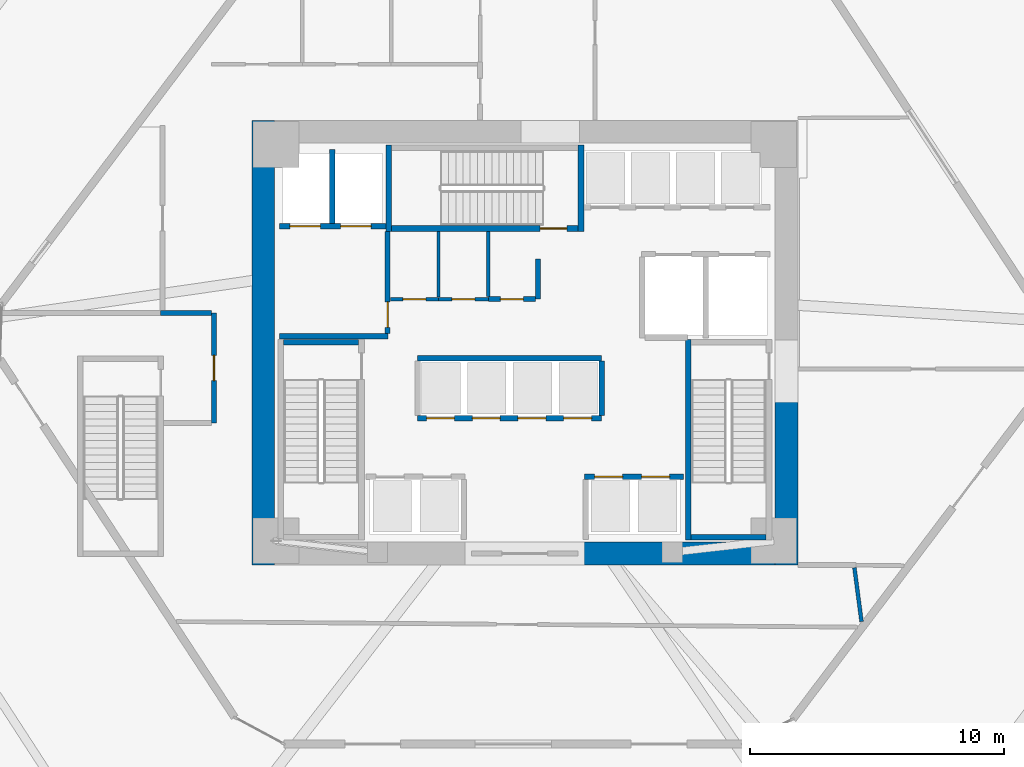
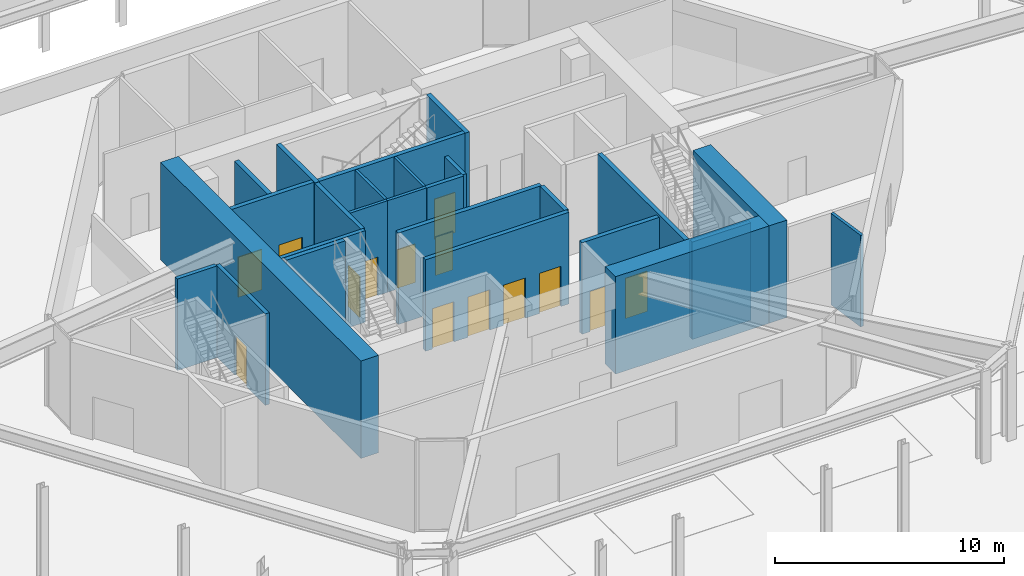
# One storey, part 13 of 18: 26 walls, 14 doors, 14 openings.
"""IFC4 building model written with IfcOpenShell, lengths in metres."""

from ifc_helpers import new_model, si_unit, direction, frame, frame_2d, origin, place, context, subcontext, project, spatial, rectangle, extrude, source, transform, mapped, material, layer, layer_set, type_object, type_shapes, element, fill, save


model = new_model("IFC4")

# Units and contexts
model_context = context("Model", 3, precision=1e-05, world=origin(), true_north=direction((0.0, 1.0)))
body_context = subcontext(model_context, "Body", "Model", "MODEL_VIEW")
ifc_project = project(units=[si_unit("LENGTHUNIT", "METRE"), si_unit("AREAUNIT", "SQUARE_METRE"), si_unit("VOLUMEUNIT", "CUBIC_METRE"), si_unit("PLANEANGLEUNIT", "RADIAN"), si_unit("MASSUNIT", "GRAM", prefix="KILO")], contexts=[model_context])

# Site, building, storey
site_placement = place(None, origin())
site = spatial("IfcSite", under=ifc_project, at=site_placement, CompositionType="ELEMENT")
building_placement = place(site_placement, origin())
building = spatial("IfcBuilding", under=site, at=building_placement, Name="Durnholm Broadcast Tower", CompositionType="ELEMENT")
storey_placement = place(building_placement, origin())
storey = spatial("IfcBuildingStorey", under=building, at=storey_placement, Name="L00", CompositionType="ELEMENT", Elevation=0.0)

# Walls
ifc_material_1 = material(Name="Concrete C70/85", Category="concrete")
ifc_layer_1 = layer(ifc_material_1, 0.89990234375)
ifc_layer_set_1 = layer_set([ifc_layer_1], Name="Concrete C70/85")
wall_type_1 = type_object("IfcWallType", Name="WALL-CW-900", PredefinedType="SHEAR", material=ifc_layer_set_1)
wall_1_placement = place(storey_placement, frame((-10.300048828125, -8.75, 0.0), z_axis=(0.0, 0.0, 1.0), x_axis=(0.0, 1.0, 0.0)))
element("IfcWall", 1, at=wall_1_placement, inside=storey, type_object=wall_type_1, Name="L00 central core shear wall CW-WEST", PredefinedType="SHEAR", context=body_context, shape_type="SweptSolid", body=[
    extrude(rectangle(XDim=17.5, YDim=0.89990234375, at=frame_2d((8.75, 0.0))), origin(), (0.0, 0.0, 1.0), 5.199951171875),
])
wall_2_placement = place(storey_placement, frame((10.300048828125, -8.75, 0.0), z_axis=(0.0, 0.0, 1.0), x_axis=(0.0, 1.0, 0.0)))
element("IfcWall", 2, at=wall_2_placement, inside=storey, type_object=wall_type_1, Name="L00 central core shear wall CW-E1", PredefinedType="SHEAR", context=body_context, shape_type="SweptSolid", body=[
    extrude(rectangle(XDim=6.64990234375, YDim=0.89990234375, at=frame_2d((3.324951171875, 0.0))), origin(), (0.0, 0.0, 1.0), 5.199951171875),
])
wall_3_placement = place(storey_placement, frame((2.10009765625, -8.300048828125, 0.0), z_axis=(0.0, 0.0, 1.0), x_axis=(1.0, 0.0, 0.0)))
element("IfcWall", 3, at=wall_3_placement, inside=storey, type_object=wall_type_1, Name="L00 central core shear wall CW-S2", PredefinedType="SHEAR", context=body_context, shape_type="SweptSolid", body=[
    extrude(rectangle(XDim=7.75, YDim=0.89990234375, at=frame_2d((3.875, 0.0))), origin(), (0.0, 0.0, 1.0), 5.199951171875),
])
ifc_material_2 = material(Name="Fire-Rated Gypsum Shaftwall", Category="concrete")
ifc_layer_2 = layer(ifc_material_2, 0.199951171875)
ifc_layer_set_2 = layer_set([ifc_layer_2], Name="Fire-Rated Gypsum Shaftwall")
wall_type_2 = type_object("IfcWallType", Name="WALL-LOB-200", PredefinedType="SOLIDWALL", material=ifc_layer_set_2)
wall_4_placement = place(storey_placement, frame((-9.64990234375, 0.25, 0.0), z_axis=(0.0, 0.0, 1.0), x_axis=(1.0, 0.0, 0.0)))
element("IfcWall", 4, at=wall_4_placement, inside=storey, type_object=wall_type_2, Name="L00 Fire Service Access Elevator lobby south wall", PredefinedType="SOLIDWALL", context=body_context, shape_type="SweptSolid", body=[
    extrude(rectangle(XDim=4.27001953125, YDim=0.199951171875, at=frame_2d((2.135009765625, 0.0))), origin(), (0.0, 0.0, 1.0), 4.885009765625),
])

# Wall, opening, door
wall_5_placement = place(storey_placement, frame((-5.39990234375, 0.35400390625, 0.0), z_axis=(0.0, 0.0, 1.0), x_axis=(0.0, 1.0, 0.0)))
wall_5 = element("IfcWall", 5, at=wall_5_placement, inside=storey, type_object=wall_type_2, Name="L00 Fire Service Access Elevator lobby east fire wall", PredefinedType="SOLIDWALL", context=body_context, shape_type="SweptSolid", body=[
    extrude(rectangle(XDim=4.02587890625, YDim=0.199951171875, at=frame_2d((2.012939453125, 0.0))), origin(), (0.0, 0.0, 1.0), 4.885009765625),
])
opening_1_placement = place(wall_5_placement, frame((0.24609375, 0.0, 0.0)))
opening_1 = element("IfcOpeningElement", 6, at=opening_1_placement, cuts=wall_5, Name="Opening DL-60L", PredefinedType="OPENING", context=body_context, shape_type="SweptSolid", body=[
    extrude(rectangle(XDim=1.0, YDim=2.14990234375, at=frame_2d((0.5, 1.074951171875))), frame((0.0, 0.10986328125, 0.0), z_axis=(0.0, -1.0, 0.0), x_axis=(1.0, 0.0, 0.0)), (0.0, 0.0, 1.0), 0.219970703125),
])
ifc_material_3 = material(Name="Fire-Rated Timber/Steel Door", Category="steel")
ifc_layer_3 = layer(ifc_material_3, 0.050048828125)
ifc_layer_set_3 = layer_set([ifc_layer_3], Name="Fire-Rated Timber/Steel Door")
door_type_1 = type_object("IfcDoorType", Name="DOOR-LOB-FD60-L", OperationType="NOTDEFINED", PredefinedType="DOOR", material=ifc_layer_set_3)
shared_shape_1 = source(origin(), body_context, "Body", "SweptSolid", [
    extrude(rectangle(XDim=1.0, YDim=2.14990234375, at=frame_2d((0.5, 1.074951171875))), frame((0.0, 0.02490234375, 0.0), z_axis=(0.0, -1.0, 0.0), x_axis=(1.0, 0.0, 0.0)), (0.0, 0.0, 1.0), 0.050048828125),
])
type_shapes(door_type_1, [shared_shape_1])
door_1_placement = place(opening_1_placement, origin())
door_1 = element("IfcDoor", 7, at=door_1_placement, inside=storey, type_object=door_type_1, Name="L00 Fire Service Access Elevator lobby smoke door", OperationType="SINGLE_SWING_LEFT", OverallHeight=2.14990234375, OverallWidth=1.0, PredefinedType="DOOR", context=body_context, shape_type="MappedRepresentation", body=[
    mapped(shared_shape_1, transform((0.0, 0.0, 0.0), x_axis=(1.0, 0.0, 0.0), y_axis=(0.0, 1.0, 0.0), z_axis=(0.0, 0.0, 1.0), scale=1.0)),
])
fill(opening_1, door_1)

wall_6_placement = place(storey_placement, frame((-12.239990234375, -3.159912109375, 0.0), z_axis=(0.0, 0.0, 1.0), x_axis=(0.0, 1.0, 0.0)))
wall_6 = element("IfcWall", 8, at=wall_6_placement, inside=storey, type_object=wall_type_2, Name="L00 West Protected Exit Passageway 2-hour fire barrier", PredefinedType="SOLIDWALL", context=body_context, shape_type="SweptSolid", body=[
    extrude(rectangle(XDim=4.31982421875, YDim=0.199951171875, at=frame_2d((2.159912109375, 0.0))), origin(), (0.0, 0.0, 1.0), 4.885009765625),
])
opening_2_placement = place(wall_6_placement, frame((1.659912109375, 0.0, 0.0)))
opening_2 = element("IfcOpeningElement", 9, at=opening_2_placement, cuts=wall_6, Name="Opening DL-60L", PredefinedType="OPENING", context=body_context, shape_type="SweptSolid", body=[
    extrude(rectangle(XDim=1.0, YDim=2.14990234375, at=frame_2d((0.5, 1.074951171875))), frame((0.0, 0.10986328125, 0.0), z_axis=(0.0, -1.0, 0.0), x_axis=(1.0, 0.0, 0.0)), (0.0, 0.0, 1.0), 0.219970703125),
])
door_2_placement = place(opening_2_placement, origin())
door_2 = element("IfcDoor", 10, at=door_2_placement, inside=storey, type_object=door_type_1, Name="L00 West Protected Exit Passageway smoke barrier door", OperationType="SINGLE_SWING_LEFT", OverallHeight=2.14990234375, OverallWidth=1.0, PredefinedType="DOOR", context=body_context, shape_type="MappedRepresentation", body=[
    mapped(shared_shape_1, transform((0.0, 0.0, 0.0), x_axis=(1.0, 0.0, 0.0), y_axis=(0.0, 1.0, 0.0), z_axis=(0.0, 0.0, 1.0), scale=1.0)),
])
fill(opening_2, door_2)

# Walls
wall_7_placement = place(storey_placement, frame((-12.343994140625, 1.159912109375, 0.0), z_axis=(0.0, 0.0, 1.0), x_axis=(-1.0, 0.0, 0.0)))
element("IfcWall", 11, at=wall_7_placement, inside=storey, type_object=wall_type_2, Name="L00 West Protected Exit Passageway 2-hour fire barrier", PredefinedType="SOLIDWALL", context=body_context, shape_type="SweptSolid", body=[
    extrude(rectangle(XDim=1.99609375, YDim=0.199951171875, at=frame_2d((0.998046875, 0.0))), origin(), (0.0, 0.0, 1.0), 4.885009765625),
])
wall_8_placement = place(storey_placement, frame((0.52001953125, 3.300048828125, 0.0), z_axis=(0.0, 0.0, 1.0), x_axis=(0.0, -1.0, 0.0)))
element("IfcWall", 12, at=wall_8_placement, inside=storey, type_object=wall_type_2, Name="L00 Core Telecom Patch Room corridor partition", PredefinedType="SOLIDWALL", context=body_context, shape_type="SweptSolid", body=[
    extrude(rectangle(XDim=1.590087890625, YDim=0.199951171875, at=frame_2d((0.794921875, 0.0))), origin(), (0.0, 0.0, 1.0), 4.885009765625),
])

# Wall, opening, door
wall_9_placement = place(storey_placement, frame((0.416015625, 1.7099609375, 0.0), z_axis=(0.0, 0.0, 1.0), x_axis=(-1.0, 0.0, 0.0)))
wall_9 = element("IfcWall", 13, at=wall_9_placement, inside=storey, type_object=wall_type_2, Name="L00 Core Telecom Patch Room corridor partition", PredefinedType="SOLIDWALL", context=body_context, shape_type="SweptSolid", body=[
    extrude(rectangle(XDim=1.85595703125, YDim=0.199951171875, at=frame_2d((0.927978515625, 0.0))), origin(), (0.0, 0.0, 1.0), 4.885009765625),
])
opening_3_placement = place(wall_9_placement, frame((0.47802734375, 0.0, 0.0)))
opening_3 = element("IfcOpeningElement", 14, at=opening_3_placement, cuts=wall_9, Name="Opening DC-60R", PredefinedType="OPENING", context=body_context, shape_type="SweptSolid", body=[
    extrude(rectangle(XDim=0.89990234375, YDim=2.050048828125, at=frame_2d((0.449951171875, 1.02490234375))), frame((0.0, 0.10986328125, 0.0), z_axis=(0.0, -1.0, 0.0), x_axis=(1.0, 0.0, 0.0)), (0.0, 0.0, 1.0), 0.219970703125),
])
ifc_material_4 = material(Name="Fire-Rated Core Service Door", Category="steel")
ifc_layer_4 = layer(ifc_material_4, 0.050048828125)
ifc_layer_set_4 = layer_set([ifc_layer_4], Name="Fire-Rated Core Service Door")
door_type_2 = type_object("IfcDoorType", Name="DOOR-CORE-FD60-R", OperationType="NOTDEFINED", PredefinedType="DOOR", material=ifc_layer_set_4)
shared_shape_2 = source(origin(), body_context, "Body", "SweptSolid", [
    extrude(rectangle(XDim=0.89990234375, YDim=2.050048828125, at=frame_2d((0.449951171875, 1.02490234375))), frame((0.0, 0.02490234375, 0.0), z_axis=(0.0, -1.0, 0.0), x_axis=(1.0, 0.0, 0.0)), (0.0, 0.0, 1.0), 0.050048828125),
])
type_shapes(door_type_2, [shared_shape_2])
door_3_placement = place(opening_3_placement, origin())
door_3 = element("IfcDoor", 15, at=door_3_placement, inside=storey, type_object=door_type_2, Name="L00 Core Telecom Patch Room entrance door", OperationType="SINGLE_SWING_RIGHT", OverallHeight=2.050048828125, OverallWidth=0.89990234375, PredefinedType="DOOR", context=body_context, shape_type="MappedRepresentation", body=[
    mapped(shared_shape_2, transform((0.0, 0.0, 0.0), x_axis=(1.0, 0.0, 0.0), y_axis=(0.0, 1.0, 0.0), z_axis=(0.0, 0.0, 1.0), scale=1.0)),
])
fill(opening_3, door_3)

# Walls
ifc_material_5 = material(Name="Gypsum Metal Stud Partition", Category="concrete")
ifc_layer_5 = layer(ifc_material_5, 0.135009765625)
ifc_layer_set_5 = layer_set([ifc_layer_5], Name="Gypsum Metal Stud Partition")
wall_type_3 = type_object("IfcWallType", Name="WALL-PART-135", PredefinedType="PARTITIONING", material=ifc_layer_set_5)
wall_10_placement = place(storey_placement, frame((-3.39990234375, 4.375, 0.0), z_axis=(0.0, 0.0, 1.0), x_axis=(0.0, -1.0, 0.0)))
element("IfcWall", 16, at=wall_10_placement, inside=storey, type_object=wall_type_3, Name="L00 room dividing partition 1.2", PredefinedType="PARTITIONING", context=body_context, shape_type="SweptSolid", body=[
    extrude(rectangle(XDim=2.5859375, YDim=0.135009765625, at=frame_2d((1.29296875, 0.0))), origin(), (0.0, 0.0, 1.0), 4.885009765625),
])
wall_11_placement = place(storey_placement, frame((-1.43994140625, 4.375, 0.0), z_axis=(0.0, 0.0, 1.0), x_axis=(0.0, -1.0, 0.0)))
element("IfcWall", 17, at=wall_11_placement, inside=storey, type_object=wall_type_3, Name="L00 room dividing partition 2.3", PredefinedType="PARTITIONING", context=body_context, shape_type="SweptSolid", body=[
    extrude(rectangle(XDim=2.56103515625, YDim=0.135009765625, at=frame_2d((1.280517578125, 0.0))), origin(), (0.0, 0.0, 1.0), 4.885009765625),
])

# Wall, opening, door
ifc_material_6 = material(Name="Acoustic Gypsum Stud Partition", Category="concrete")
ifc_layer_6 = layer(ifc_material_6, 0.14990234375)
ifc_layer_set_6 = layer_set([ifc_layer_6], Name="Acoustic Gypsum Stud Partition")
wall_type_4 = type_object("IfcWallType", Name="WALL-PART-150", PredefinedType="PARTITIONING", material=ifc_layer_set_6)
wall_12_placement = place(storey_placement, frame((-3.39990234375, 1.7099609375, 0.0), z_axis=(0.0, 0.0, 1.0), x_axis=(-1.0, 0.0, 0.0)))
wall_12 = element("IfcWall", 18, at=wall_12_placement, inside=storey, type_object=wall_type_4, Name="L00 Core Copy and Print Closet corridor partition", PredefinedType="PARTITIONING", context=body_context, shape_type="SweptSolid", body=[
    extrude(rectangle(XDim=1.89599609375, YDim=0.14990234375, at=frame_2d((0.947998046875, 0.0))), origin(), (0.0, 0.0, 1.0), 4.885009765625),
])
opening_4_placement = place(wall_12_placement, frame((0.498046875, 0.0, 0.0)))
opening_4 = element("IfcOpeningElement", 19, at=opening_4_placement, cuts=wall_12, Name="Opening DC-60R", PredefinedType="OPENING", context=body_context, shape_type="SweptSolid", body=[
    extrude(rectangle(XDim=0.89990234375, YDim=2.050048828125, at=frame_2d((0.449951171875, 1.02490234375))), frame((0.0, 0.0849609375, 0.0), z_axis=(0.0, -1.0, 0.0), x_axis=(1.0, 0.0, 0.0)), (0.0, 0.0, 1.0), 0.169921875),
])
door_4_placement = place(opening_4_placement, origin())
door_4 = element("IfcDoor", 20, at=door_4_placement, inside=storey, type_object=door_type_2, Name="L00 Core Copy and Print Closet entrance door", OperationType="SINGLE_SWING_RIGHT", OverallHeight=2.050048828125, OverallWidth=0.89990234375, PredefinedType="DOOR", context=body_context, shape_type="MappedRepresentation", body=[
    mapped(shared_shape_2, transform((0.0, 0.0, 0.0), x_axis=(1.0, 0.0, 0.0), y_axis=(0.0, 1.0, 0.0), z_axis=(0.0, 0.0, 1.0), scale=1.0)),
])
fill(opening_4, door_4)

wall_13_placement = place(storey_placement, frame((-1.43994140625, 1.7099609375, 0.0), z_axis=(0.0, 0.0, 1.0), x_axis=(-1.0, 0.0, 0.0)))
wall_13 = element("IfcWall", 21, at=wall_13_placement, inside=storey, type_object=wall_type_4, Name="L00 Core Janitor Supply Closet corridor partition", PredefinedType="PARTITIONING", context=body_context, shape_type="SweptSolid", body=[
    extrude(rectangle(XDim=1.9599609375, YDim=0.14990234375, at=frame_2d((0.97998046875, 0.0))), origin(), (0.0, 0.0, 1.0), 4.885009765625),
])
opening_5_placement = place(wall_13_placement, frame((0.530029296875, 0.0, 0.0)))
opening_5 = element("IfcOpeningElement", 22, at=opening_5_placement, cuts=wall_13, Name="Opening DC-60L", PredefinedType="OPENING", context=body_context, shape_type="SweptSolid", body=[
    extrude(rectangle(XDim=0.89990234375, YDim=2.050048828125, at=frame_2d((0.449951171875, 1.02490234375))), frame((0.0, 0.0849609375, 0.0), z_axis=(0.0, -1.0, 0.0), x_axis=(1.0, 0.0, 0.0)), (0.0, 0.0, 1.0), 0.169921875),
])
ifc_layer_7 = layer(ifc_material_4, 0.050048828125)
ifc_layer_set_7 = layer_set([ifc_layer_7], Name="Fire-Rated Core Service Door")
door_type_3 = type_object("IfcDoorType", Name="DOOR-CORE-FD60-L", OperationType="NOTDEFINED", PredefinedType="DOOR", material=ifc_layer_set_7)
shared_shape_3 = source(origin(), body_context, "Body", "SweptSolid", [
    extrude(rectangle(XDim=0.89990234375, YDim=2.050048828125, at=frame_2d((0.449951171875, 1.02490234375))), frame((0.0, 0.02490234375, 0.0), z_axis=(0.0, -1.0, 0.0), x_axis=(1.0, 0.0, 0.0)), (0.0, 0.0, 1.0), 0.050048828125),
])
type_shapes(door_type_3, [shared_shape_3])
door_5_placement = place(opening_5_placement, origin())
door_5 = element("IfcDoor", 23, at=door_5_placement, inside=storey, type_object=door_type_3, Name="L00 Core Janitor Supply Closet entrance door", OperationType="SINGLE_SWING_LEFT", OverallHeight=2.050048828125, OverallWidth=0.89990234375, PredefinedType="DOOR", context=body_context, shape_type="MappedRepresentation", body=[
    mapped(shared_shape_3, transform((0.0, 0.0, 0.0), x_axis=(1.0, 0.0, 0.0), y_axis=(0.0, 1.0, 0.0), z_axis=(0.0, 0.0, 1.0), scale=1.0)),
])
fill(opening_5, door_5)

# Wall
wall_14_placement = place(storey_placement, frame((13.25341796875, -10.984619140625, 0.0), z_axis=(0.0, 0.0, 1.0), x_axis=(-0.130802903256, 0.991408392389, 0.0)))
element("IfcWall", 24, at=wall_14_placement, inside=storey, type_object=wall_type_4, Name="L00 Main Broadcast Reception Hall corridor partition", PredefinedType="PARTITIONING", context=body_context, shape_type="SweptSolid", body=[
    extrude(rectangle(XDim=2.138916015625, YDim=0.14990234375, at=frame_2d((1.0693359375, 0.0))), origin(), (0.0, 0.0, 1.0), 4.885009765625),
])

# Wall, openings, doors
ifc_material_7 = material(Name="Concrete Blockwork C30/37", Category="masonry")
ifc_layer_8 = layer(ifc_material_7, 0.219970703125)
ifc_layer_set_8 = layer_set([ifc_layer_8], Name="Concrete Blockwork C30/37")
wall_type_5 = type_object("IfcWallType", Name="WALL-SHAFT-220", PredefinedType="SOLIDWALL", material=ifc_layer_set_8)
wall_15_placement = place(storey_placement, frame((-9.64990234375, 4.580078125, 0.0), z_axis=(0.0, 0.0, 1.0), x_axis=(1.0, 0.0, 0.0)))
wall_15 = element("IfcWall", 25, at=wall_15_placement, inside=storey, type_object=wall_type_5, Name="L00 FSAE hoistway front fire wall", PredefinedType="SOLIDWALL", context=body_context, shape_type="SweptSolid", body=[
    extrude(rectangle(XDim=4.1748046875, YDim=0.219970703125, at=frame_2d((2.08740234375, 0.0))), origin(), (0.0, 0.0, 1.0), 4.885009765625),
])
opening_6_placement = place(wall_15_placement, frame((0.39990234375, 0.0, 0.0)))
opening_6 = element("IfcOpeningElement", 26, at=opening_6_placement, cuts=wall_15, Name="Opening LD-FSAE-2", PredefinedType="OPENING", context=body_context, shape_type="SweptSolid", body=[
    extrude(rectangle(XDim=1.199951171875, YDim=2.14990234375, at=frame_2d((0.60009765625, 1.074951171875))), frame((0.0, 0.1201171875, 0.0), z_axis=(0.0, -1.0, 0.0), x_axis=(1.0, 0.0, 0.0)), (0.0, 0.0, 1.0), 0.239990234375),
])
opening_7_placement = place(wall_15_placement, frame((2.39990234375, 0.0, 0.0)))
opening_7 = element("IfcOpeningElement", 27, at=opening_7_placement, cuts=wall_15, Name="Opening LD-FSAE-1", PredefinedType="OPENING", context=body_context, shape_type="SweptSolid", body=[
    extrude(rectangle(XDim=1.199951171875, YDim=2.14990234375, at=frame_2d((0.60009765625, 1.074951171875))), frame((0.0, 0.1201171875, 0.0), z_axis=(0.0, -1.0, 0.0), x_axis=(1.0, 0.0, 0.0)), (0.0, 0.0, 1.0), 0.239990234375),
])
ifc_material_8 = material(Name="Fire Service Access Sliding Landing Door", Category="steel")
ifc_layer_9 = layer(ifc_material_8, 0.050048828125)
ifc_layer_set_9 = layer_set([ifc_layer_9], Name="Fire Service Access Sliding Landing Door")
door_type_4 = type_object("IfcDoorType", Name="DOOR-LIFT-FSAE", OperationType="DOUBLE_DOOR_SLIDING", PredefinedType="DOOR", material=ifc_layer_set_9)
shared_shape_4 = source(origin(), body_context, "Body", "SweptSolid", [
    extrude(rectangle(XDim=1.199951171875, YDim=2.14990234375, at=frame_2d((0.60009765625, 1.074951171875))), frame((0.0, 0.02490234375, 0.0), z_axis=(0.0, -1.0, 0.0), x_axis=(1.0, 0.0, 0.0)), (0.0, 0.0, 1.0), 0.050048828125),
])
type_shapes(door_type_4, [shared_shape_4])
door_6_placement = place(opening_6_placement, origin())
door_6 = element("IfcDoor", 28, at=door_6_placement, inside=storey, type_object=door_type_4, Name="L00 Fire Service Access Elevator FSAE-2 sliding landing door", OperationType="DOUBLE_DOOR_SLIDING", OverallHeight=2.14990234375, OverallWidth=1.199951171875, PredefinedType="DOOR", context=body_context, shape_type="MappedRepresentation", body=[
    mapped(shared_shape_4, transform((0.0, 0.0, 0.0), x_axis=(1.0, 0.0, 0.0), y_axis=(0.0, 1.0, 0.0), z_axis=(0.0, 0.0, 1.0), scale=1.0)),
])
fill(opening_6, door_6)
door_7_placement = place(opening_7_placement, origin())
door_7 = element("IfcDoor", 29, at=door_7_placement, inside=storey, type_object=door_type_4, Name="L00 Fire Service Access Elevator FSAE-1 sliding landing door", OperationType="DOUBLE_DOOR_SLIDING", OverallHeight=2.14990234375, OverallWidth=1.199951171875, PredefinedType="DOOR", context=body_context, shape_type="MappedRepresentation", body=[
    mapped(shared_shape_4, transform((0.0, 0.0, 0.0), x_axis=(1.0, 0.0, 0.0), y_axis=(0.0, 1.0, 0.0), z_axis=(0.0, 0.0, 1.0), scale=1.0)),
])
fill(opening_7, door_7)

# Wall
wall_16_placement = place(storey_placement, frame((-7.580078125, 4.694091796875, 0.0), z_axis=(0.0, 0.0, 1.0), x_axis=(0.0, 1.0, 0.0)))
element("IfcWall", 30, at=wall_16_placement, inside=storey, type_object=wall_type_5, Name="L00 FSAE shaft divider wall", PredefinedType="SOLIDWALL", context=body_context, shape_type="SweptSolid", body=[
    extrude(rectangle(XDim=2.906005859375, YDim=0.219970703125, at=frame_2d((1.453125, 0.0))), origin(), (0.0, 0.0, 1.0), 4.885009765625),
])

# Wall, openings, doors
wall_17_placement = place(storey_placement, frame((2.35009765625, -5.280029296875, 0.0), z_axis=(0.0, 0.0, 1.0), x_axis=(1.0, 0.0, 0.0)))
wall_17 = element("IfcWall", 31, at=wall_17_placement, inside=storey, type_object=wall_type_5, Name="L00 low-rise bank P1 east front wall", PredefinedType="SOLIDWALL", context=body_context, shape_type="SweptSolid", body=[
    extrude(rectangle(XDim=3.89990234375, YDim=0.219970703125, at=frame_2d((1.949951171875, 0.0))), origin(), (0.0, 0.0, 1.0), 4.885009765625),
])
opening_8_placement = place(wall_17_placement, frame((0.39990234375, 0.0, 0.0)))
opening_8 = element("IfcOpeningElement", 32, at=opening_8_placement, cuts=wall_17, Name="Opening LD-LP1-3", PredefinedType="OPENING", context=body_context, shape_type="SweptSolid", body=[
    extrude(rectangle(XDim=1.10009765625, YDim=2.14990234375, at=frame_2d((0.550048828125, 1.074951171875))), frame((0.0, 0.1201171875, 0.0), z_axis=(0.0, -1.0, 0.0), x_axis=(1.0, 0.0, 0.0)), (0.0, 0.0, 1.0), 0.239990234375),
])
opening_9_placement = place(wall_17_placement, frame((2.25, 0.0, 0.0)))
opening_9 = element("IfcOpeningElement", 33, at=opening_9_placement, cuts=wall_17, Name="Opening LD-LP1-4", PredefinedType="OPENING", context=body_context, shape_type="SweptSolid", body=[
    extrude(rectangle(XDim=1.10009765625, YDim=2.14990234375, at=frame_2d((0.550048828125, 1.074951171875))), frame((0.0, 0.1201171875, 0.0), z_axis=(0.0, -1.0, 0.0), x_axis=(1.0, 0.0, 0.0)), (0.0, 0.0, 1.0), 0.239990234375),
])
ifc_material_9 = material(Name="Stainless Steel Sliding Elevator Landing Door", Category="steel")
ifc_layer_10 = layer(ifc_material_9, 0.050048828125)
ifc_layer_set_10 = layer_set([ifc_layer_10], Name="Stainless Steel Sliding Elevator Landing Door")
door_type_5 = type_object("IfcDoorType", Name="DOOR-LIFT-PAX", OperationType="DOUBLE_DOOR_SLIDING", PredefinedType="DOOR", material=ifc_layer_set_10)
shared_shape_5 = source(origin(), body_context, "Body", "SweptSolid", [
    extrude(rectangle(XDim=1.10009765625, YDim=2.14990234375, at=frame_2d((0.550048828125, 1.074951171875))), frame((0.0, 0.02490234375, 0.0), z_axis=(0.0, -1.0, 0.0), x_axis=(1.0, 0.0, 0.0)), (0.0, 0.0, 1.0), 0.050048828125),
])
type_shapes(door_type_5, [shared_shape_5])
door_8_placement = place(opening_8_placement, origin())
door_8 = element("IfcDoor", 34, at=door_8_placement, inside=storey, type_object=door_type_5, Name="L00 passenger elevator LP1-3 sliding landing door", OperationType="DOUBLE_DOOR_SLIDING", OverallHeight=2.14990234375, OverallWidth=1.10009765625, PredefinedType="DOOR", context=body_context, shape_type="MappedRepresentation", body=[
    mapped(shared_shape_5, transform((0.0, 0.0, 0.0), x_axis=(1.0, 0.0, 0.0), y_axis=(0.0, 1.0, 0.0), z_axis=(0.0, 0.0, 1.0), scale=1.0)),
])
fill(opening_8, door_8)
door_9_placement = place(opening_9_placement, origin())
door_9 = element("IfcDoor", 35, at=door_9_placement, inside=storey, type_object=door_type_5, Name="L00 passenger elevator LP1-4 sliding landing door", OperationType="DOUBLE_DOOR_SLIDING", OverallHeight=2.14990234375, OverallWidth=1.10009765625, PredefinedType="DOOR", context=body_context, shape_type="MappedRepresentation", body=[
    mapped(shared_shape_5, transform((0.0, 0.0, 0.0), x_axis=(1.0, 0.0, 0.0), y_axis=(0.0, 1.0, 0.0), z_axis=(0.0, 0.0, 1.0), scale=1.0)),
])
fill(opening_9, door_9)

wall_18_placement = place(storey_placement, frame((-4.219970703125, -2.97998046875, 0.0), z_axis=(0.0, 0.0, 1.0), x_axis=(1.0, 0.0, 0.0)))
wall_18 = element("IfcWall", 36, at=wall_18_placement, inside=storey, type_object=wall_type_5, Name="L00 mid-rise bank P2 south front wall", PredefinedType="SOLIDWALL", context=body_context, shape_type="SweptSolid", body=[
    extrude(rectangle(XDim=7.239990234375, YDim=0.219970703125, at=frame_2d((3.6201171875, 0.0))), origin(), (0.0, 0.0, 1.0), 4.885009765625),
])
opening_10_placement = place(wall_18_placement, frame((0.35009765625, 0.0, 0.0)))
opening_10 = element("IfcOpeningElement", 37, at=opening_10_placement, cuts=wall_18, Name="Opening LD-LP2-1", PredefinedType="OPENING", context=body_context, shape_type="SweptSolid", body=[
    extrude(rectangle(XDim=1.10009765625, YDim=2.14990234375, at=frame_2d((0.550048828125, 1.074951171875))), frame((0.0, 0.1201171875, 0.0), z_axis=(0.0, -1.0, 0.0), x_axis=(1.0, 0.0, 0.0)), (0.0, 0.0, 1.0), 0.239990234375),
])
opening_11_placement = place(wall_18_placement, frame((2.14990234375, 0.0, 0.0)))
opening_11 = element("IfcOpeningElement", 38, at=opening_11_placement, cuts=wall_18, Name="Opening LD-LP2-2", PredefinedType="OPENING", context=body_context, shape_type="SweptSolid", body=[
    extrude(rectangle(XDim=1.10009765625, YDim=2.14990234375, at=frame_2d((0.550048828125, 1.074951171875))), frame((0.0, 0.1201171875, 0.0), z_axis=(0.0, -1.0, 0.0), x_axis=(1.0, 0.0, 0.0)), (0.0, 0.0, 1.0), 0.239990234375),
])
opening_12_placement = place(wall_18_placement, frame((3.949951171875, 0.0, 0.0)))
opening_12 = element("IfcOpeningElement", 39, at=opening_12_placement, cuts=wall_18, Name="Opening LD-LP2-3", PredefinedType="OPENING", context=body_context, shape_type="SweptSolid", body=[
    extrude(rectangle(XDim=1.10009765625, YDim=2.14990234375, at=frame_2d((0.550048828125, 1.074951171875))), frame((0.0, 0.1201171875, 0.0), z_axis=(0.0, -1.0, 0.0), x_axis=(1.0, 0.0, 0.0)), (0.0, 0.0, 1.0), 0.239990234375),
])
opening_13_placement = place(wall_18_placement, frame((5.75, 0.0, 0.0)))
opening_13 = element("IfcOpeningElement", 40, at=opening_13_placement, cuts=wall_18, Name="Opening LD-LP2-4", PredefinedType="OPENING", context=body_context, shape_type="SweptSolid", body=[
    extrude(rectangle(XDim=1.10009765625, YDim=2.14990234375, at=frame_2d((0.550048828125, 1.074951171875))), frame((0.0, 0.1201171875, 0.0), z_axis=(0.0, -1.0, 0.0), x_axis=(1.0, 0.0, 0.0)), (0.0, 0.0, 1.0), 0.239990234375),
])
door_10_placement = place(opening_10_placement, origin())
door_10 = element("IfcDoor", 41, at=door_10_placement, inside=storey, type_object=door_type_5, Name="L00 passenger elevator LP2-1 sliding landing door", OperationType="DOUBLE_DOOR_SLIDING", OverallHeight=2.14990234375, OverallWidth=1.10009765625, PredefinedType="DOOR", context=body_context, shape_type="MappedRepresentation", body=[
    mapped(shared_shape_5, transform((0.0, 0.0, 0.0), x_axis=(1.0, 0.0, 0.0), y_axis=(0.0, 1.0, 0.0), z_axis=(0.0, 0.0, 1.0), scale=1.0)),
])
fill(opening_10, door_10)
door_11_placement = place(opening_11_placement, origin())
door_11 = element("IfcDoor", 42, at=door_11_placement, inside=storey, type_object=door_type_5, Name="L00 passenger elevator LP2-2 sliding landing door", OperationType="DOUBLE_DOOR_SLIDING", OverallHeight=2.14990234375, OverallWidth=1.10009765625, PredefinedType="DOOR", context=body_context, shape_type="MappedRepresentation", body=[
    mapped(shared_shape_5, transform((0.0, 0.0, 0.0), x_axis=(1.0, 0.0, 0.0), y_axis=(0.0, 1.0, 0.0), z_axis=(0.0, 0.0, 1.0), scale=1.0)),
])
fill(opening_11, door_11)
door_12_placement = place(opening_12_placement, origin())
door_12 = element("IfcDoor", 43, at=door_12_placement, inside=storey, type_object=door_type_5, Name="L00 passenger elevator LP2-3 sliding landing door", OperationType="DOUBLE_DOOR_SLIDING", OverallHeight=2.14990234375, OverallWidth=1.10009765625, PredefinedType="DOOR", context=body_context, shape_type="MappedRepresentation", body=[
    mapped(shared_shape_5, transform((0.0, 0.0, 0.0), x_axis=(1.0, 0.0, 0.0), y_axis=(0.0, 1.0, 0.0), z_axis=(0.0, 0.0, 1.0), scale=1.0)),
])
fill(opening_12, door_12)
door_13_placement = place(opening_13_placement, origin())
door_13 = element("IfcDoor", 44, at=door_13_placement, inside=storey, type_object=door_type_5, Name="L00 passenger elevator LP2-4 sliding landing door", OperationType="DOUBLE_DOOR_SLIDING", OverallHeight=2.14990234375, OverallWidth=1.10009765625, PredefinedType="DOOR", context=body_context, shape_type="MappedRepresentation", body=[
    mapped(shared_shape_5, transform((0.0, 0.0, 0.0), x_axis=(1.0, 0.0, 0.0), y_axis=(0.0, 1.0, 0.0), z_axis=(0.0, 0.0, 1.0), scale=1.0)),
])
fill(opening_13, door_13)

# Walls
wall_19_placement = place(storey_placement, frame((-4.219970703125, -0.6201171875, 0.0), z_axis=(0.0, 0.0, 1.0), x_axis=(1.0, 0.0, 0.0)))
element("IfcWall", 45, at=wall_19_placement, inside=storey, type_object=wall_type_5, Name="L00 mid-rise bank P2 north shaft wall", PredefinedType="SOLIDWALL", context=body_context, shape_type="SweptSolid", body=[
    extrude(rectangle(XDim=7.239990234375, YDim=0.219970703125, at=frame_2d((3.6201171875, 0.0))), origin(), (0.0, 0.0, 1.0), 4.885009765625),
])
wall_20_placement = place(storey_placement, frame((3.02001953125, -2.865966796875, 0.0), z_axis=(0.0, 0.0, 1.0), x_axis=(0.0, 1.0, 0.0)))
element("IfcWall", 46, at=wall_20_placement, inside=storey, type_object=wall_type_5, Name="L00 mid-rise bank P2 east shaft wall", PredefinedType="SOLIDWALL", context=body_context, shape_type="SweptSolid", body=[
    extrude(rectangle(XDim=2.132080078125, YDim=0.219970703125, at=frame_2d((1.06591796875, 0.0))), origin(), (0.0, 0.0, 1.0), 4.885009765625),
])
ifc_material_10 = material(Name="Concrete C50/60", Category="concrete")
ifc_layer_11 = layer(ifc_material_10, 0.219970703125)
ifc_layer_set_11 = layer_set([ifc_layer_11], Name="Concrete C50/60")
wall_type_6 = type_object("IfcWallType", Name="WALL-SW-220", PredefinedType="SHEAR", material=ifc_layer_set_11)
wall_21_placement = place(storey_placement, frame((-6.5400390625, 0.010009765625, -0.300048828125), z_axis=(0.0, 0.0, 1.0), x_axis=(-1.0, 0.0, 0.0)))
element("IfcWall", 47, at=wall_21_placement, inside=storey, type_object=wall_type_6, Name="L00 stair ST-1 structural shaft wall N", PredefinedType="SHEAR", context=body_context, shape_type="SweptSolid", body=[
    extrude(rectangle(XDim=2.9599609375, YDim=0.219970703125, at=frame_2d((1.47998046875, 0.0))), origin(), (0.0, 0.0, 1.0), 5.199951171875),
])
wall_22_placement = place(storey_placement, frame((6.429931640625, 0.1201171875, -0.300048828125), z_axis=(0.0, 0.0, 1.0), x_axis=(0.0, -1.0, 0.0)))
element("IfcWall", 48, at=wall_22_placement, inside=storey, type_object=wall_type_6, Name="L00 stair ST-2 structural shaft wall W", PredefinedType="SHEAR", context=body_context, shape_type="SweptSolid", body=[
    extrude(rectangle(XDim=7.89013671875, YDim=0.219970703125, at=frame_2d((3.945068359375, 0.0))), origin(), (0.0, 0.0, 1.0), 5.199951171875),
])
wall_23_placement = place(storey_placement, frame((6.5400390625, -7.659912109375, -0.300048828125), z_axis=(0.0, 0.0, 1.0), x_axis=(1.0, 0.0, 0.0)))
element("IfcWall", 49, at=wall_23_placement, inside=storey, type_object=wall_type_6, Name="L00 stair ST-2 structural shaft wall S", PredefinedType="SHEAR", context=body_context, shape_type="SweptSolid", body=[
    extrude(rectangle(XDim=2.9599609375, YDim=0.219970703125, at=frame_2d((1.47998046875, 0.0))), origin(), (0.0, 0.0, 1.0), 5.199951171875),
])
for number, where, z_axis, x_axis, name in (
    (50, (2.2099609375, 4.3798828125, -0.300048828125), (0.0, 0.0, 1.0), (0.0, 1.0, 0.0), "L00 stair ST-3 structural shaft wall E"),
    (51, (-5.360107421875, 7.780029296875, -0.300048828125), (0.0, 0.0, 1.0), (0.0, -1.0, 0.0), "L00 stair ST-3 structural shaft wall W"),
):
    element("IfcWall", number, at=place(storey_placement, frame(where, z_axis=z_axis, x_axis=x_axis)), inside=storey, type_object=wall_type_6, Name=name, PredefinedType="SHEAR", context=body_context, shape_type="SweptSolid", body=[
        extrude(rectangle(XDim=3.400146484375, YDim=0.219970703125, at=frame_2d((1.7001953125, 0.0))), origin(), (0.0, 0.0, 1.0), 5.199951171875),
    ])

# Wall, opening, door
wall_24_placement = place(storey_placement, frame((-5.25, 4.489990234375, -0.300048828125), z_axis=(0.0, 0.0, 1.0), x_axis=(1.0, 0.0, 0.0)))
wall_24 = element("IfcWall", 52, at=wall_24_placement, inside=storey, type_object=wall_type_6, Name="L00 stair ST-3 structural shaft wall S", PredefinedType="SHEAR", context=body_context, shape_type="SweptSolid", body=[
    extrude(rectangle(XDim=7.35009765625, YDim=0.219970703125, at=frame_2d((3.675048828125, 0.0))), origin(), (0.0, 0.0, 1.0), 5.199951171875),
])
opening_14_placement = place(wall_24_placement, frame((5.85009765625, 0.0, 0.0)))
opening_14 = element("IfcOpeningElement", 53, at=opening_14_placement, cuts=wall_24, Name="Opening DS-90L", PredefinedType="OPENING", context=body_context, shape_type="SweptSolid", body=[
    extrude(rectangle(XDim=1.050048828125, YDim=2.14990234375, at=frame_2d((0.52490234375, 1.074951171875))), frame((0.0, 0.1201171875, 0.0), z_axis=(0.0, -1.0, 0.0), x_axis=(1.0, 0.0, 0.0)), (0.0, 0.0, 1.0), 0.239990234375),
])
ifc_material_11 = material(Name="Fire-Rated Steel Door", Category="steel")
ifc_layer_12 = layer(ifc_material_11, 0.050048828125)
ifc_layer_set_12 = layer_set([ifc_layer_12], Name="Fire-Rated Steel Door")
door_type_6 = type_object("IfcDoorType", Name="DOOR-ST-FD90-L", OperationType="NOTDEFINED", PredefinedType="DOOR", material=ifc_layer_set_12)
shared_shape_6 = source(origin(), body_context, "Body", "SweptSolid", [
    extrude(rectangle(XDim=1.050048828125, YDim=2.14990234375, at=frame_2d((0.52490234375, 1.074951171875))), frame((0.0, 0.02490234375, 0.0), z_axis=(0.0, -1.0, 0.0), x_axis=(1.0, 0.0, 0.0)), (0.0, 0.0, 1.0), 0.050048828125),
])
type_shapes(door_type_6, [shared_shape_6])
door_14_placement = place(opening_14_placement, origin())
door_14 = element("IfcDoor", 54, at=door_14_placement, inside=storey, type_object=door_type_6, Name="L00 exit stair ST-3 fire door", OperationType="SINGLE_SWING_LEFT", OverallHeight=2.14990234375, OverallWidth=1.050048828125, PredefinedType="DOOR", context=body_context, shape_type="MappedRepresentation", body=[
    mapped(shared_shape_6, transform((0.0, 0.0, 0.0), x_axis=(1.0, 0.0, 0.0), y_axis=(0.0, 1.0, 0.0), z_axis=(0.0, 0.0, 1.0), scale=1.0)),
])
fill(opening_14, door_14)

save(model, "model.ifc")
